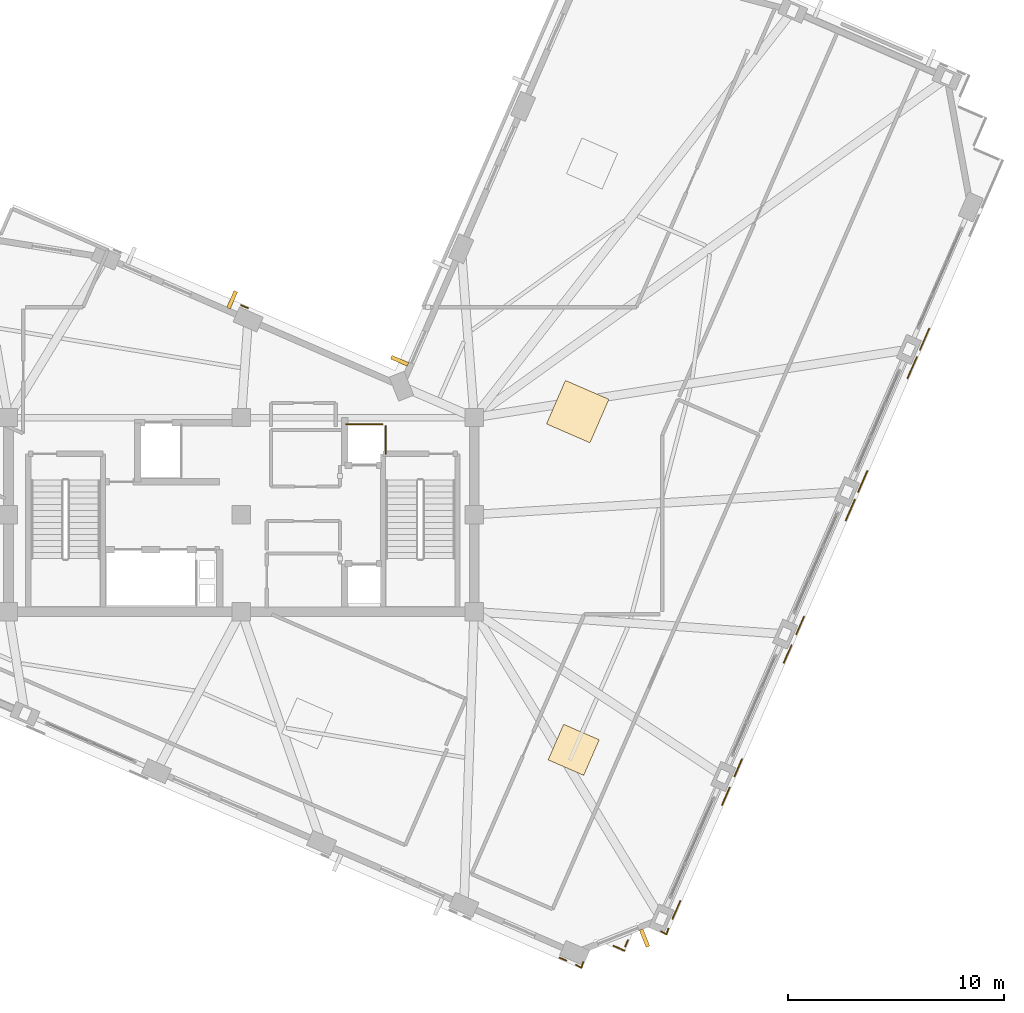
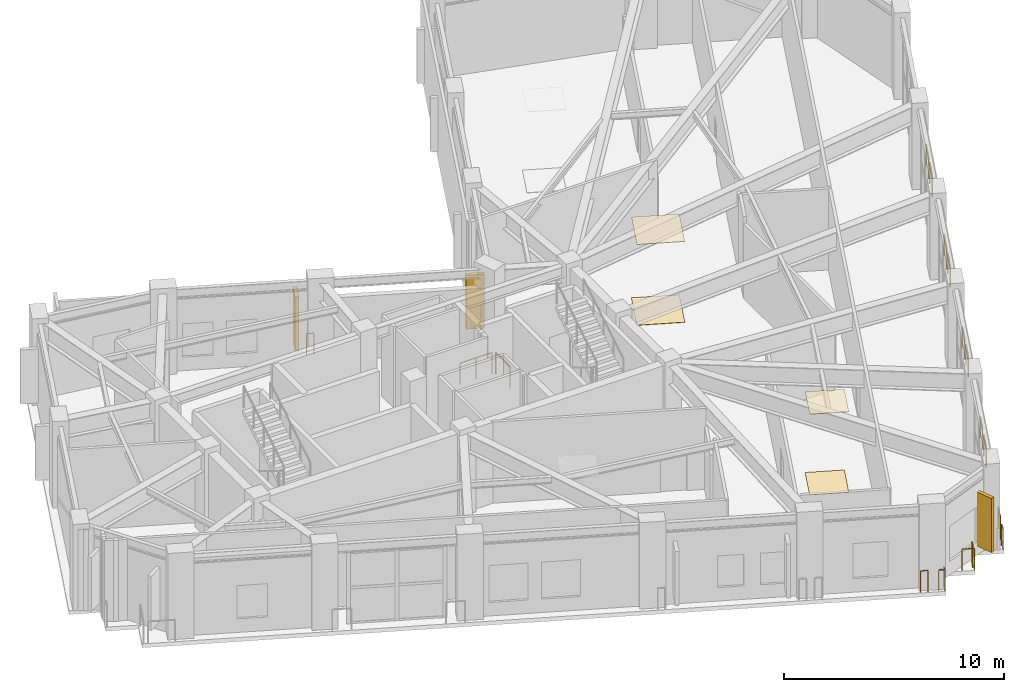
# One storey, part 14 of 16: 17 railings, 4 coverings, 3 shading devices.
"""IFC4 building model written with IfcOpenShell, lengths in metres."""

import ifcopenshell
import ifcopenshell.guid

model = None  # the IFC model being written
_history = None  # IfcOwnerHistory: only IFC2X3 demands one
_inside = {}  # id of a spatial element -> (the spatial element, [elements in it])
_under = {}  # id of a project, library or spatial element -> (it, [spatial elements below it])
_declared = {}  # id of a project -> (the project, [libraries it declares])
_typed = {}  # id of a type object -> (the type object, [elements of that type])
_made_of = {}  # id of a material, layer set ... -> (it, [elements and type objects made of it])


def new_model(schema):
    """Start an empty IFC model of exactly this schema.

    Asked for "IFC4X3", IfcOpenShell would pick the latest addendum, in which some entities
    have other attributes; the version numbers below select the first issue.
    IFC2X3 requires an IfcOwnerHistory on every rooted entity: one is made here for all.
    """
    global model, _history
    if schema == "IFC4X3":
        model = ifcopenshell.file(schema_version=(4, 3, 0, 0))
    else:
        model = ifcopenshell.file(schema=schema)
    _inside.clear()
    _under.clear()
    _declared.clear()
    _typed.clear()
    _made_of.clear()
    _history = None
    if model.schema == "IFC2X3":
        org = make("IfcOrganization", Name="unknown")
        user = make(
            "IfcPersonAndOrganization",
            ThePerson=make("IfcPerson", FamilyName="unknown"),
            TheOrganization=org,
        )
        app = make(
            "IfcApplication",
            ApplicationDeveloper=org,
            Version="unknown",
            ApplicationFullName="unknown",
            ApplicationIdentifier="unknown",
        )
        _history = make(
            "IfcOwnerHistory",
            OwningUser=user,
            OwningApplication=app,
            ChangeAction="ADDED",
            CreationDate=0,
        )
    return model


def make(cls, **values):
    """One entity of the class cls with the attributes given. An attribute that is None is left unset."""
    return model.create_entity(
        cls, **{name: value for name, value in values.items() if value is not None}
    )


def rooted(cls, **values):
    """An entity with a GlobalId (a new one), such as an element, a storey or a relation."""
    return make(cls, GlobalId=ifcopenshell.guid.new(), OwnerHistory=_history, **values)


def si_unit(unit_type, name, prefix=None):
    """IfcSIUnit, for example si_unit("LENGTHUNIT", "METRE", prefix="MILLI")."""
    return make("IfcSIUnit", UnitType=unit_type, Prefix=prefix, Name=name)


def assignment(units):
    """IfcUnitAssignment: the units of a project."""
    return None if units is None else make("IfcUnitAssignment", Units=units)


def point(xyz):
    """IfcCartesianPoint."""
    return None if xyz is None else make("IfcCartesianPoint", Coordinates=xyz)


def direction(xyz):
    """IfcDirection."""
    return None if xyz is None else make("IfcDirection", DirectionRatios=xyz)


def frame(location, z_axis=None, x_axis=None):
    """IfcAxis2Placement3D, a coordinate frame: its origin and axes. An axis left out is left unset."""
    return make(
        "IfcAxis2Placement3D",
        Location=point(location),
        Axis=direction(z_axis),
        RefDirection=direction(x_axis),
    )


def frame_2d(location, x_axis=None):
    """IfcAxis2Placement2D, a coordinate frame in the plane: its origin and x axis."""
    return make(
        "IfcAxis2Placement2D", Location=point(location), RefDirection=direction(x_axis)
    )


def origin():
    """The frame at (0, 0, 0) with its axes left unset."""
    return frame((0.0, 0.0, 0.0))


def origin_2d():
    """The frame at (0, 0) in the plane with its x axis left unset."""
    return frame_2d((0.0, 0.0))


def place(relative_to, where):
    """IfcLocalPlacement: puts the frame where relative to a parent placement (None: the world)."""
    return make(
        "IfcLocalPlacement", PlacementRelTo=relative_to, RelativePlacement=where
    )


def context(
    kind, dimensions, precision=None, world=None, true_north=None, identifier=None
):
    """IfcGeometricRepresentationContext, for example the 3D "Model" context."""
    return make(
        "IfcGeometricRepresentationContext",
        ContextIdentifier=identifier,
        ContextType=kind,
        CoordinateSpaceDimension=dimensions,
        Precision=precision,
        WorldCoordinateSystem=world,
        TrueNorth=true_north,
    )


def subcontext(parent, identifier, kind, view, scale=None):
    """IfcGeometricRepresentationSubContext, for example "Body" below "Model"."""
    return make(
        "IfcGeometricRepresentationSubContext",
        ContextIdentifier=identifier,
        ContextType=kind,
        ParentContext=parent,
        TargetScale=scale,
        TargetView=view,
    )


def project(units=None, contexts=None):
    """IfcProject with its units and contexts."""
    return rooted(
        "IfcProject",
        Name="project",
        RepresentationContexts=contexts,
        UnitsInContext=assignment(units),
    )


def spatial(cls, under=None, at=None, **own):
    """A site, building, storey or space (cls), placed at a placement, below another one or the project."""
    s = rooted(cls, ObjectPlacement=at, **own)
    if under is not None:
        _under.setdefault(under.id(), (under, []))[1].append(s)
    return s


def profile(cls, at=None, kind="AREA", **sizes):
    """A parametric profile (cls). Its sizes go by their IFC names, for example OverallWidth=200.0."""
    return make(cls, ProfileType=kind, Position=at, **sizes)


def rectangle(**sizes):
    """IfcRectangleProfileDef."""
    return profile("IfcRectangleProfileDef", **sizes)


def circle(**sizes):
    """IfcCircleProfileDef."""
    return profile("IfcCircleProfileDef", **sizes)


def extrude(swept, where, along, depth):
    """IfcExtrudedAreaSolid: the profile swept, set in the frame where, extruded along a direction by depth."""
    return make(
        "IfcExtrudedAreaSolid",
        SweptArea=swept,
        Position=where,
        ExtrudedDirection=direction(along),
        Depth=depth,
    )


def shape(context_of_items, identifier, shape_type, items):
    """IfcShapeRepresentation: the items that make up one representation, for example the "Body"."""
    return make(
        "IfcShapeRepresentation",
        ContextOfItems=context_of_items,
        RepresentationIdentifier=identifier,
        RepresentationType=shape_type,
        Items=items,
    )


def material(Name=None, Category=None):
    """IfcMaterial."""
    return make("IfcMaterial", Name=Name, Category=Category)


def layer(
    of_material, thickness, ventilated=None, Name=None, Category=None, Priority=None
):
    """IfcMaterialLayer: one layer of a wall or slab, of a material (None: an air gap)."""
    return make(
        "IfcMaterialLayer",
        Material=of_material,
        LayerThickness=thickness,
        IsVentilated=ventilated,
        Name=Name,
        Category=Category,
        Priority=Priority,
    )


def layer_set(layers, Name=None):
    """IfcMaterialLayerSet."""
    return make("IfcMaterialLayerSet", MaterialLayers=layers, LayerSetName=Name)


def made_of(thing, what):
    """Note that an element or type object is made of a material, layer set ...; save() writes the relation."""
    if what is not None:
        _made_of.setdefault(what.id(), (what, []))[1].append(thing)
    return thing


def type_object(cls, material=None, **own):
    """A type object (cls), such as IfcWallType, which elements share."""
    return made_of(rooted(cls, **own), material)


def element(
    cls,
    number,
    at=None,
    inside=None,
    cuts=None,
    type_object=None,
    material=None,
    context=None,
    identifier="Body",
    shape_type=None,
    held_by="IfcProductDefinitionShape",
    body=None,
    shapes=None,
    **own,
):
    """One element of the class cls, such as IfcWall. Its Tag is "e" and its number.

    at: its placement. inside: the storey or other place that contains it. cuts: it is an
    opening in that element (IfcRelVoidsElement). A single representation is given by context,
    identifier, shape_type and body (its items); several are given by shapes. held_by: the class
    of the entity that holds the representations. save() writes the other relations.
    """
    e = rooted(cls, Tag="e%d" % number, ObjectPlacement=at, **own)
    if body is not None:
        shapes = [shape(context, identifier, shape_type, body)]
    if shapes is not None:
        e.Representation = make(held_by, Representations=shapes)
    if inside is not None:
        _inside.setdefault(inside.id(), (inside, []))[1].append(e)
    if cuts is not None:
        rooted(
            "IfcRelVoidsElement", RelatingBuildingElement=cuts, RelatedOpeningElement=e
        )
    if type_object is not None:
        _typed.setdefault(type_object.id(), (type_object, []))[1].append(e)
    return made_of(e, material)


def aggregate(whole, parts):
    """IfcRelAggregates: a whole, such as a stair, and the parts it consists of."""
    return rooted("IfcRelAggregates", RelatingObject=whole, RelatedObjects=parts)


def save(model, path):
    """Write the relations noted so far, then the file.

    IfcRelAggregates (storeys below a building ...), IfcRelContainedInSpatialStructure (elements
    in a storey), IfcRelDefinesByType, IfcRelAssociatesMaterial and IfcRelDeclares: one each for
    every whole, place, type object, material and project.
    """
    for whole, parts in _under.values():
        aggregate(whole, parts)
    for where, things in _inside.values():
        rooted(
            "IfcRelContainedInSpatialStructure",
            RelatedElements=things,
            RelatingStructure=where,
        )
    for kind, things in _typed.values():
        rooted("IfcRelDefinesByType", RelatedObjects=things, RelatingType=kind)
    for what, things in _made_of.values():
        rooted("IfcRelAssociatesMaterial", RelatedObjects=things, RelatingMaterial=what)
    for by, libraries in _declared.values():
        rooted("IfcRelDeclares", RelatingContext=by, RelatedDefinitions=libraries)
    model.write(path)


model = new_model("IFC4")

# Units and contexts
model_context = context("Model", 3, precision=1e-05, world=origin(), true_north=direction((0.0, 1.0)))
body_context = subcontext(model_context, "Body", "Model", "MODEL_VIEW")
ifc_project = project(units=[si_unit("LENGTHUNIT", "METRE"), si_unit("AREAUNIT", "SQUARE_METRE"), si_unit("VOLUMEUNIT", "CUBIC_METRE"), si_unit("PLANEANGLEUNIT", "RADIAN"), si_unit("MASSUNIT", "GRAM", prefix="KILO")], contexts=[model_context])

# Site, building, storey
site_placement = place(None, origin())
site = spatial("IfcSite", under=ifc_project, at=site_placement, CompositionType="ELEMENT")
building_placement = place(site_placement, origin())
building = spatial("IfcBuilding", under=site, at=building_placement, Name="Gaonmaruhae Medical Tower", CompositionType="ELEMENT")
storey_placement = place(building_placement, frame((0.0, 0.0, 333.39990234375)))
storey = spatial("IfcBuildingStorey", under=building, at=storey_placement, Name="L80", CompositionType="ELEMENT", Elevation=333.39990234375)

# Coverings
ifc_material_1 = material(Name="Acoustic mineral ceiling tile", Category="finish")
ifc_layer_1 = layer(ifc_material_1, 0.02490234375)
ifc_layer_set_1 = layer_set([ifc_layer_1], Name="Acoustic mineral ceiling tile")
covering_type_1 = type_object("IfcCoveringType", Name="CLG-01 Antimicrobial Acoustic Mineral Ceiling", PredefinedType="CEILING", material=ifc_layer_set_1)
covering_1_placement = place(storey_placement, frame((40.40087890625, 17.07568359375, 4.47509765625), z_axis=(0.0, 0.0, 1.0), x_axis=(0.398749068925, 0.917060074385, 0.0)))
element("IfcCovering", 1, at=covering_1_placement, inside=storey, type_object=covering_type_1, Name="L80 Clinical Corridor Acoustic Ceiling", PredefinedType="CEILING", context=body_context, shape_type="SweptSolid", body=[
    extrude(rectangle(XDim=2.199951171875, YDim=2.199951171875, at=origin_2d()), origin(), (0.0, 0.0, 1.0), 0.02490234375),
])
covering_2_placement = place(storey_placement, frame((40.214599609375, 1.3916015625, 4.47509765625), z_axis=(0.0, 0.0, 1.0), x_axis=(0.398749068925, 0.917060074385, 0.0)))
element("IfcCovering", 2, at=covering_2_placement, inside=storey, type_object=covering_type_1, Name="L80 Clinical Room Acoustic Ceiling 2", PredefinedType="CEILING", context=body_context, shape_type="SweptSolid", body=[
    extrude(rectangle(XDim=1.800048828125, YDim=1.800048828125, at=origin_2d()), origin(), (0.0, 0.0, 1.0), 0.02490234375),
])
ifc_material_2 = material(Name="Seamless clinical vinyl flooring", Category="finish")
ifc_layer_2 = layer(ifc_material_2, 0.014892578125)
ifc_layer_set_2 = layer_set([ifc_layer_2], Name="Seamless clinical vinyl flooring")
covering_type_2 = type_object("IfcCoveringType", Name="FLR-01 Seamless Clinical Antistatic Vinyl Flooring", PredefinedType="FLOORING", material=ifc_layer_set_2)
covering_3_placement = place(storey_placement, frame((40.40087890625, 17.07568359375, 0.00048828125), z_axis=(0.0, 0.0, 1.0), x_axis=(0.398749068925, 0.917060074385, 0.0)))
element("IfcCovering", 3, at=covering_3_placement, inside=storey, type_object=covering_type_2, Name="L80 Clinical Corridor Vinyl Flooring", PredefinedType="FLOORING", context=body_context, shape_type="SweptSolid", body=[
    extrude(rectangle(XDim=2.199951171875, YDim=2.199951171875, at=origin_2d()), origin(), (0.0, 0.0, 1.0), 0.014892578125),
])
covering_4_placement = place(storey_placement, frame((40.214599609375, 1.3916015625, 0.0), z_axis=(0.0, 0.0, 1.0), x_axis=(0.398749068925, 0.917060074385, 0.0)))
element("IfcCovering", 4, at=covering_4_placement, inside=storey, type_object=covering_type_2, Name="L80 Clinical Room Vinyl Flooring 2", PredefinedType="FLOORING", context=body_context, shape_type="SweptSolid", body=[
    extrude(rectangle(XDim=1.800048828125, YDim=1.800048828125, at=origin_2d()), origin(), (0.0, 0.0, 1.0), 0.014892578125),
])

# Railings
ifc_material_3 = material(Name="Stainless steel 316L and laminated safety glass", Category="steel")
ifc_layer_3 = layer(ifc_material_3, 0.080078125)
ifc_layer_set_3 = layer_set([ifc_layer_3], Name="Stainless steel 316L and laminated safety glass")
railing_type_1 = type_object("IfcRailingType", Name="GD-120 Outdoor Terrace Safety Glass & Steel Balustrade", PredefinedType="BALUSTRADE", material=ifc_layer_set_3)
railing_1_placement = place(storey_placement, frame((44.802490234375, -6.43896484375, 0.0)))
element("IfcRailing", 5, at=railing_1_placement, inside=storey, type_object=railing_type_1, Name="L80 Perimeter Slab Edge Safety Balustrade 01", PredefinedType="BALUSTRADE", context=body_context, shape_type="SweptSolid", body=[
    extrude(circle(Radius=0.02392578125, at=origin_2d()), frame((0.0, 0.0, 1.17578125), z_axis=(0.398939280671, 0.916977344506, 0.0), x_axis=(-0.916977344506, 0.398939280671, 0.0)), (0.0, 0.0, 1.0), 0.87939453125),
    extrude(circle(Radius=0.02099609375, at=origin_2d()), origin(), (0.0, 0.0, 1.0), 1.15185546875),
    extrude(circle(Radius=0.02099609375, at=origin_2d()), frame((0.350830078125, 0.806396484375, 0.0)), (0.0, 0.0, 1.0), 1.15185546875),
])
railing_2_placement = place(storey_placement, frame((47.09716796875, -1.162109375, 0.0)))
element("IfcRailing", 6, at=railing_2_placement, inside=storey, type_object=railing_type_1, Name="L80 Perimeter Slab Edge Safety Balustrade 02", PredefinedType="BALUSTRADE", context=body_context, shape_type="SweptSolid", body=[
    extrude(circle(Radius=0.02392578125, at=origin_2d()), frame((0.0, 0.0, 1.17578125), z_axis=(0.398705806209, 0.917078884336, 0.0), x_axis=(-0.917078884336, 0.398705806209, 0.0)), (0.0, 0.0, 1.0), 0.87939453125),
    extrude(circle(Radius=0.02099609375, at=origin_2d()), origin(), (0.0, 0.0, 1.0), 1.15185546875),
    extrude(circle(Radius=0.02099609375, at=origin_2d()), frame((0.3505859375, 0.806396484375, 0.0)), (0.0, 0.0, 1.0), 1.15185546875),
])
railing_3_placement = place(storey_placement, frame((47.670654296875, 0.1572265625, 0.0)))
element("IfcRailing", 7, at=railing_3_placement, inside=storey, type_object=railing_type_1, Name="L80 Perimeter Slab Edge Safety Balustrade 03", PredefinedType="BALUSTRADE", context=body_context, shape_type="SweptSolid", body=[
    extrude(circle(Radius=0.02392578125, at=origin_2d()), frame((0.0, 0.0, 1.17578125), z_axis=(0.398807350968, 0.917034730429, 0.0), x_axis=(-0.917034730429, 0.398807350968, 0.0)), (0.0, 0.0, 1.0), 0.879150390625),
    extrude(circle(Radius=0.02099609375, at=origin_2d()), origin(), (0.0, 0.0, 1.0), 1.15185546875),
    extrude(circle(Radius=0.02099609375, at=origin_2d()), frame((0.3505859375, 0.80615234375, 0.0)), (0.0, 0.0, 1.0), 1.15185546875),
])
railing_4_placement = place(storey_placement, frame((49.965087890625, 5.43408203125, 0.0)))
element("IfcRailing", 8, at=railing_4_placement, inside=storey, type_object=railing_type_1, Name="L80 Perimeter Slab Edge Safety Balustrade 04", PredefinedType="BALUSTRADE", context=body_context, shape_type="SweptSolid", body=[
    extrude(circle(Radius=0.02392578125, at=origin_2d()), frame((0.0, 0.0, 1.17578125), z_axis=(0.398939280671, 0.916977344506, 0.0), x_axis=(-0.916977344506, 0.398939280671, 0.0)), (0.0, 0.0, 1.0), 0.87939453125),
    extrude(circle(Radius=0.02099609375, at=origin_2d()), origin(), (0.0, 0.0, 1.0), 1.15185546875),
    extrude(circle(Radius=0.02099609375, at=origin_2d()), frame((0.350830078125, 0.806396484375, 0.0)), (0.0, 0.0, 1.0), 1.15185546875),
])
railing_5_placement = place(storey_placement, frame((50.538818359375, 6.75341796875, 0.0)))
element("IfcRailing", 9, at=railing_5_placement, inside=storey, type_object=railing_type_1, Name="L80 Perimeter Slab Edge Safety Balustrade 05", PredefinedType="BALUSTRADE", context=body_context, shape_type="SweptSolid", body=[
    extrude(circle(Radius=0.02392578125, at=origin_2d()), frame((0.0, 0.0, 1.17578125), z_axis=(0.398807350968, 0.917034730429, 0.0), x_axis=(-0.917034730429, 0.398807350968, 0.0)), (0.0, 0.0, 1.0), 0.879150390625),
    extrude(circle(Radius=0.02099609375, at=origin_2d()), origin(), (0.0, 0.0, 1.0), 1.15185546875),
    extrude(circle(Radius=0.02099609375, at=origin_2d()), frame((0.3505859375, 0.80615234375, 0.0)), (0.0, 0.0, 1.0), 1.15185546875),
])
for number, where, name in (
    (10, (52.833251953125, 12.0302734375, 0.0), "L80 Perimeter Slab Edge Safety Balustrade 06"),
    (11, (53.40673828125, 13.349365234375, 0.0), "L80 Perimeter Slab Edge Safety Balustrade 07"),
):
    element("IfcRailing", number, at=place(storey_placement, frame(where)), inside=storey, type_object=railing_type_1, Name=name, PredefinedType="BALUSTRADE", context=body_context, shape_type="SweptSolid", body=[
        extrude(circle(Radius=0.02392578125, at=origin_2d()), frame((0.0, 0.0, 1.17578125), z_axis=(0.398810403906, 0.917033402738, 0.0), x_axis=(-0.917033402738, 0.398810403906, 0.0)), (0.0, 0.0, 1.0), 1.05908203125),
        extrude(circle(Radius=0.02099609375, at=origin_2d()), origin(), (0.0, 0.0, 1.0), 1.15185546875),
        extrude(circle(Radius=0.02099609375, at=origin_2d()), frame((0.42236328125, 0.97119140625, 0.0)), (0.0, 0.0, 1.0), 1.15185546875),
    ])
railing_6_placement = place(storey_placement, frame((55.701416015625, 18.626220703125, 0.0)))
element("IfcRailing", 12, at=railing_6_placement, inside=storey, type_object=railing_type_1, Name="L80 Perimeter Slab Edge Safety Balustrade 08", PredefinedType="BALUSTRADE", context=body_context, shape_type="SweptSolid", body=[
    extrude(circle(Radius=0.02392578125, at=origin_2d()), frame((0.0, 0.0, 1.17578125), z_axis=(0.398616516066, 0.917117698618, 0.0), x_axis=(-0.917117698618, 0.398616516066, 0.0)), (0.0, 0.0, 1.0), 1.05908203125),
    extrude(circle(Radius=0.02099609375, at=origin_2d()), origin(), (0.0, 0.0, 1.0), 1.15185546875),
    extrude(circle(Radius=0.02099609375, at=origin_2d()), frame((0.422119140625, 0.97119140625, 0.0)), (0.0, 0.0, 1.0), 1.15185546875),
])
railing_7_placement = place(storey_placement, frame((56.27490234375, 19.945556640625, 0.0)))
element("IfcRailing", 13, at=railing_7_placement, inside=storey, type_object=railing_type_1, Name="L80 Perimeter Slab Edge Safety Balustrade 09", PredefinedType="BALUSTRADE", context=body_context, shape_type="SweptSolid", body=[
    extrude(circle(Radius=0.02392578125, at=origin_2d()), frame((0.0, 0.0, 1.17578125), z_axis=(0.398810403906, 0.917033402738, 0.0), x_axis=(-0.917033402738, 0.398810403906, 0.0)), (0.0, 0.0, 1.0), 1.05908203125),
    extrude(circle(Radius=0.02099609375, at=origin_2d()), origin(), (0.0, 0.0, 1.0), 1.15185546875),
    extrude(circle(Radius=0.02099609375, at=origin_2d()), frame((0.42236328125, 0.97119140625, 0.0)), (0.0, 0.0, 1.0), 1.15185546875),
])
railing_8_placement = place(storey_placement, frame((25.103515625, 21.87548828125, 0.0)))
element("IfcRailing", 14, at=railing_8_placement, inside=storey, type_object=railing_type_1, Name="L80 Perimeter Slab Edge Safety Balustrade 19", PredefinedType="BALUSTRADE", context=body_context, shape_type="SweptSolid", body=[
    extrude(circle(Radius=0.02392578125, at=origin_2d()), frame((0.0, 0.0, 1.17578125), z_axis=(-0.917081518132, 0.398699748056, 0.0), x_axis=(-0.398699748056, -0.917081518132, 0.0)), (0.0, 0.0, 1.0), 0.338623046875),
    extrude(circle(Radius=0.02099609375, at=origin_2d()), origin(), (0.0, 0.0, 1.0), 1.15185546875),
    extrude(circle(Radius=0.02099609375, at=origin_2d()), frame((-0.310546875, 0.135009765625, 0.0)), (0.0, 0.0, 1.0), 1.15185546875),
])
railing_9_placement = place(storey_placement, frame((39.5595703125, -8.247314453125, 0.0)))
element("IfcRailing", 15, at=railing_9_placement, inside=storey, type_object=railing_type_1, Name="L80 Perimeter Slab Edge Safety Balustrade 29", PredefinedType="BALUSTRADE", context=body_context, shape_type="SweptSolid", body=[
    extrude(circle(Radius=0.02392578125, at=origin_2d()), frame((0.0, 0.0, 1.17578125), z_axis=(0.917012919483, -0.398857500245, 0.0), x_axis=(0.398857500245, 0.917012919483, 0.0)), (0.0, 0.0, 1.0), 0.339599609375),
    extrude(circle(Radius=0.02099609375, at=origin_2d()), origin(), (0.0, 0.0, 1.0), 1.15185546875),
    extrude(circle(Radius=0.02099609375, at=origin_2d()), frame((0.3115234375, -0.135498046875, 0.0)), (0.0, 0.0, 1.0), 1.15185546875),
])
railing_10_placement = place(storey_placement, frame((42.0625, -7.699951171875, 0.0)))
element("IfcRailing", 16, at=railing_10_placement, inside=storey, type_object=railing_type_1, Name="L80 Perimeter Slab Edge Safety Balustrade 30", PredefinedType="BALUSTRADE", context=body_context, shape_type="SweptSolid", body=[
    extrude(circle(Radius=0.02392578125, at=origin_2d()), frame((0.0, 0.0, 1.17578125), z_axis=(0.917194760546, -0.398439168792, 0.0), x_axis=(0.398439168792, 0.917194760546, 0.0)), (0.0, 0.0, 1.0), 0.56005859375),
    extrude(circle(Radius=0.02099609375, at=origin_2d()), origin(), (0.0, 0.0, 1.0), 1.15185546875),
    extrude(circle(Radius=0.02099609375, at=origin_2d()), frame((0.513671875, -0.22314453125, 0.0)), (0.0, 0.0, 1.0), 1.15185546875),
])
railing_11_placement = place(storey_placement, frame((42.603271484375, -7.735107421875, 0.0)))
element("IfcRailing", 17, at=railing_11_placement, inside=storey, type_object=railing_type_1, Name="L80 Perimeter Slab Edge Safety Balustrade 31", PredefinedType="BALUSTRADE", context=body_context, shape_type="SweptSolid", body=[
    extrude(circle(Radius=0.02392578125, at=origin_2d()), frame((0.0, 0.0, 1.17578125), z_axis=(0.39905399153, 0.916927429977, 0.0), x_axis=(-0.916927429977, 0.39905399153, 0.0)), (0.0, 0.0, 1.0), 0.32666015625),
    extrude(circle(Radius=0.02099609375, at=origin_2d()), origin(), (0.0, 0.0, 1.0), 1.15185546875),
    extrude(circle(Radius=0.02099609375, at=origin_2d()), frame((0.13037109375, 0.299560546875, 0.0)), (0.0, 0.0, 1.0), 1.15185546875),
])
railing_12_placement = place(storey_placement, frame((44.274658203125, -7.026123046875, 0.0)))
element("IfcRailing", 18, at=railing_12_placement, inside=storey, type_object=railing_type_1, Name="L80 Perimeter Corner Safety Balustrade 32", PredefinedType="BALUSTRADE", context=body_context, shape_type="SweptSolid", body=[
    extrude(circle(Radius=0.02392578125, at=origin_2d()), frame((0.0, 0.0, 1.17578125), z_axis=(0.861737529319, -0.507354344185, 0.0), x_axis=(0.507354344185, 0.861737529319, 0.0)), (0.0, 0.0, 1.0), 0.287353515625),
    extrude(circle(Radius=0.02392578125, at=origin_2d()), frame((0.24755859375, -0.145751953125, 1.17578125), z_axis=(0.283132864942, 0.959080695661, 0.0), x_axis=(-0.959080695661, 0.283132864942, 0.0)), (0.0, 0.0, 1.0), 0.287109375),
    extrude(circle(Radius=0.02099609375, at=origin_2d()), origin(), (0.0, 0.0, 1.0), 1.15185546875),
    extrude(circle(Radius=0.02099609375, at=origin_2d()), frame((0.24755859375, -0.145751953125, 0.0)), (0.0, 0.0, 1.0), 1.15185546875),
    extrude(circle(Radius=0.02099609375, at=origin_2d()), frame((0.328857421875, 0.129638671875, 0.0)), (0.0, 0.0, 1.0), 1.15185546875),
])
railing_13_placement = place(storey_placement, frame((40.327392578125, -8.5810546875, 0.0)))
element("IfcRailing", 19, at=railing_13_placement, inside=storey, type_object=railing_type_1, Name="L80 Perimeter Corner Safety Balustrade 33", PredefinedType="BALUSTRADE", context=body_context, shape_type="SweptSolid", body=[
    extrude(circle(Radius=0.02392578125, at=origin_2d()), frame((0.0, 0.0, 1.17578125), z_axis=(0.861518532877, -0.507726124509, 0.0), x_axis=(0.507726124509, 0.861518532877, 0.0)), (0.0, 0.0, 1.0), 0.287109375),
    extrude(circle(Radius=0.02392578125, at=origin_2d()), frame((0.247314453125, -0.145751953125, 1.17578125), z_axis=(0.28391467167, 0.958849549831, 0.0), x_axis=(-0.958849549831, 0.28391467167, 0.0)), (0.0, 0.0, 1.0), 0.287109375),
    extrude(circle(Radius=0.02099609375, at=origin_2d()), origin(), (0.0, 0.0, 1.0), 1.15185546875),
    extrude(circle(Radius=0.02099609375, at=origin_2d()), frame((0.247314453125, -0.145751953125, 0.0)), (0.0, 0.0, 1.0), 1.15185546875),
    extrude(circle(Radius=0.02099609375, at=origin_2d()), frame((0.328857421875, 0.129638671875, 0.0)), (0.0, 0.0, 1.0), 1.15185546875),
])

# Shading devices
ifc_material_4 = material(Name="Pigmented coral precast concrete C45/55", Category="concrete")
shading_device_type = type_object("IfcShadingDeviceType", Name="SD-FIN1 Tower Vertical Coral Precast Shading Fin", PredefinedType="USERDEFINED", material=ifc_material_4)
for number, where, z_axis, x_axis, name in (
    (20, (32.14404296875, 19.432861328125, 0.49267578125), (0.0, 0.0, 1.0), (0.398749068925, 0.917060074385, 0.0), "L80 Vertical Coral Precast Shading Fin EN02"),
    (21, (24.37548828125, 22.2626953125, 0.49267578125), (0.0, 0.0, 1.0), (0.917060074385, -0.398749068925, 0.0), "L80 Vertical Coral Precast Shading Fin NE01B"),
    (22, (43.500244140625, -7.33935546875, 0.49267578125), (0.0, 0.0, 1.0), (-0.930411171187, -0.366517465518, 0.0), "L80 Vertical Coral Precast Shading Fin W06"),
):
    element("IfcShadingDevice", number, at=place(storey_placement, frame(where, z_axis=z_axis, x_axis=x_axis)), inside=storey, type_object=shading_device_type, Name=name, ObjectType="FIN", PredefinedType="USERDEFINED", context=body_context, shape_type="SweptSolid", body=[
        extrude(rectangle(XDim=0.179931640625, YDim=0.85009765625, at=origin_2d()), origin(), (0.0, 0.0, 1.0), 3.0),
    ])

# Railings
ifc_material_5 = material(Name="Stainless steel 304 balustrade", Category="steel")
railing_type_2 = type_object("IfcRailingType", Name="SG-112 Stair Well & Ramp Void Safety Balustrade", PredefinedType="BALUSTRADE", material=ifc_material_5)
railing_14_placement = place(storey_placement, frame((31.4951171875, 16.405029296875, 0.0)))
element("IfcRailing", 23, at=railing_14_placement, inside=storey, type_object=railing_type_2, Name="L80 Shaft Edge Safety Guard 36", PredefinedType="BALUSTRADE", context=body_context, shape_type="SweptSolid", body=[
    extrude(circle(Radius=0.02392578125, at=origin_2d()), frame((0.0, 0.0, 1.17578125), z_axis=(0.0, -1.0, 0.0), x_axis=(1.0, 0.0, 0.0)), (0.0, 0.0, 1.0), 1.284912109375),
    extrude(circle(Radius=0.02099609375, at=origin_2d()), origin(), (0.0, 0.0, 1.0), 1.15185546875),
    extrude(circle(Radius=0.02099609375, at=origin_2d()), frame((0.0, -1.284912109375, 0.0)), (0.0, 0.0, 1.0), 1.15185546875),
])
railing_15_placement = place(storey_placement, frame((29.6630859375, 16.4951171875, 0.0)))
element("IfcRailing", 24, at=railing_15_placement, inside=storey, type_object=railing_type_2, Name="L80 Shaft Edge Safety Guard 37", PredefinedType="BALUSTRADE", context=body_context, shape_type="SweptSolid", body=[
    extrude(circle(Radius=0.02392578125, at=origin_2d()), frame((0.0, 0.0, 1.17578125), z_axis=(1.0, 0.0, 0.0), x_axis=(0.0, 1.0, 0.0)), (0.0, 0.0, 1.0), 1.673828125),
    extrude(circle(Radius=0.02099609375, at=origin_2d()), origin(), (0.0, 0.0, 1.0), 1.15185546875),
    extrude(circle(Radius=0.02099609375, at=origin_2d()), frame((0.8369140625, 0.0, 0.0)), (0.0, 0.0, 1.0), 1.15185546875),
    extrude(circle(Radius=0.02099609375, at=origin_2d()), frame((1.673828125, 0.0, 0.0)), (0.0, 0.0, 1.0), 1.15185546875),
])

save(model, "model.ifc")
